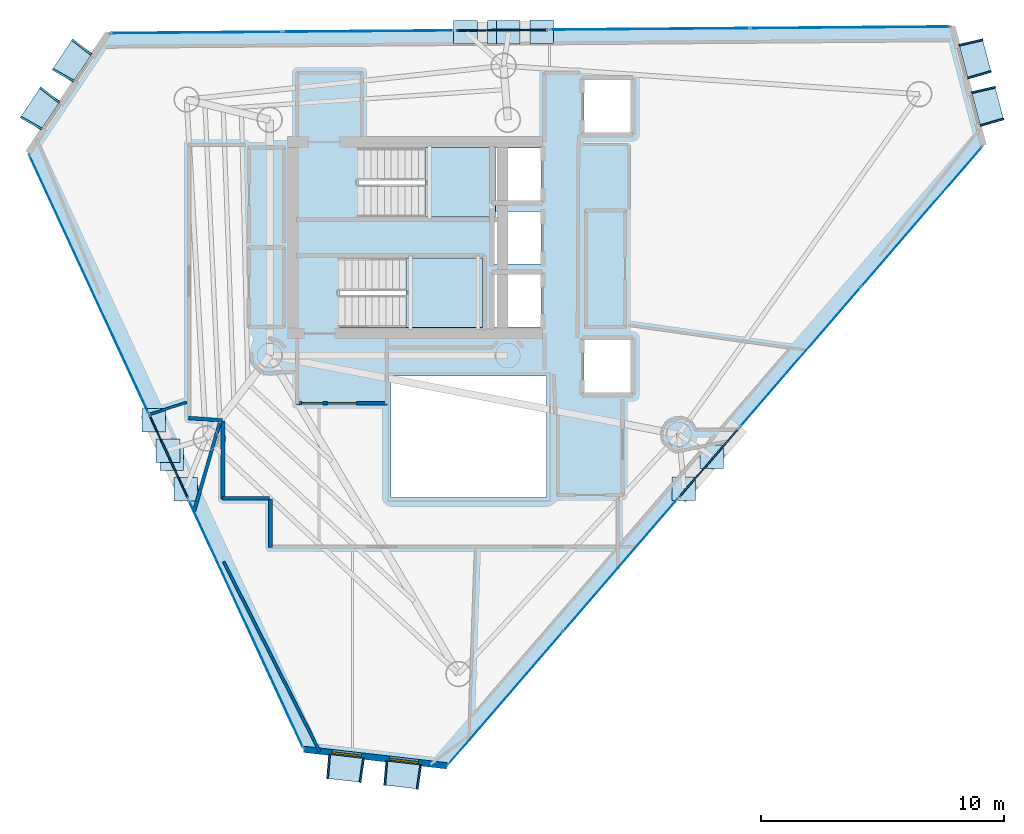
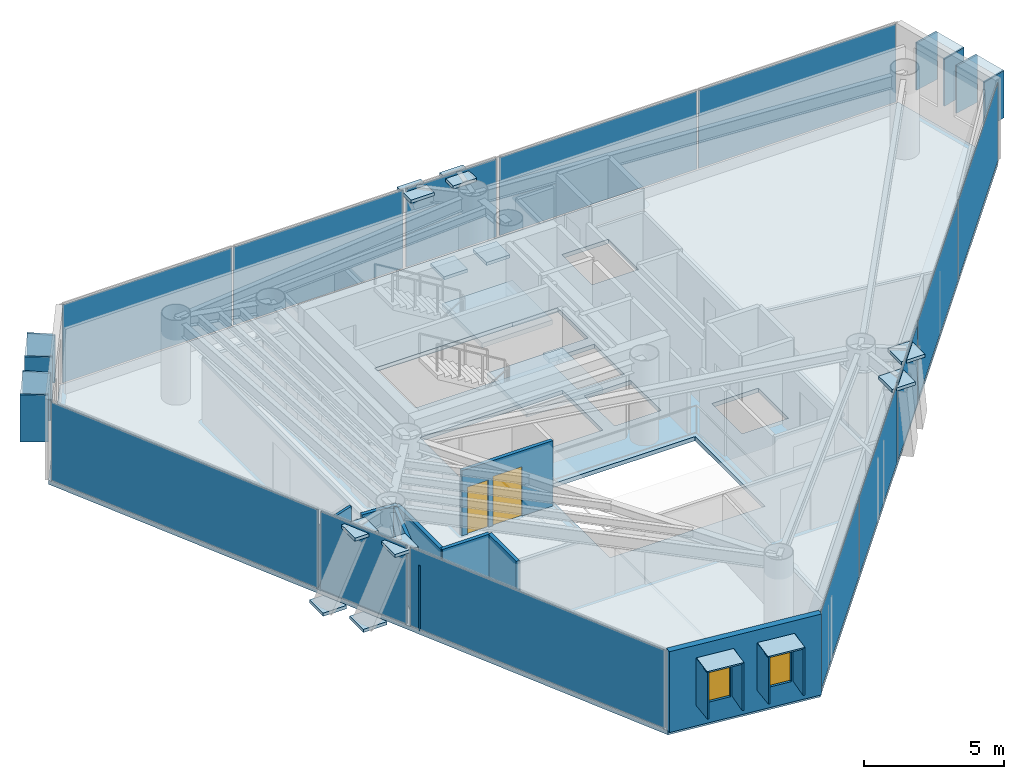
# One storey, part 14 of 21: 41 plates, 9 walls, 3 slabs, 2 doors, 2 windows, 4 openings, 11 elements without a shape of their own.
"""IFC4 building model written with IfcOpenShell, lengths in metres."""

from ifc_helpers import new_model, si_unit, direction, frame, frame_2d, origin, origin_2d, place, context, subcontext, project, spatial, polyline, rectangle, outline, extrude, material, layer, layer_set, type_object, element, fill, aggregate, save


model = new_model("IFC4")

# Units and contexts
model_context = context("Model", 3, precision=1e-05, world=origin(), true_north=direction((0.0, 1.0)))
body_context = subcontext(model_context, "Body", "Model", "MODEL_VIEW")
ifc_project = project(units=[si_unit("LENGTHUNIT", "METRE"), si_unit("AREAUNIT", "SQUARE_METRE"), si_unit("VOLUMEUNIT", "CUBIC_METRE"), si_unit("PLANEANGLEUNIT", "RADIAN"), si_unit("MASSUNIT", "GRAM", prefix="KILO")], contexts=[model_context])

# Site, building, storey
site_placement = place(None, origin())
site = spatial("IfcSite", under=ifc_project, at=site_placement, CompositionType="ELEMENT")
building_placement = place(site_placement, origin())
building = spatial("IfcBuilding", under=site, at=building_placement, Name="Qianvela Tower", CompositionType="ELEMENT")
storey_placement = place(building_placement, frame((0.0, 0.0, 253.800048828125)))
storey = spatial("IfcBuildingStorey", under=building, at=storey_placement, Name="L65", CompositionType="ELEMENT", Elevation=253.800048828125)

# Curtain wall, plate
ifc_material_1 = material(Name="Anodised Architectural Aluminium and Insulated Spandrel Panel", Category="aluminium")
ifc_layer_1 = layer(ifc_material_1, 0.179931640625)
ifc_layer_set_1 = layer_set([ifc_layer_1], Name="Anodised Architectural Aluminium and Insulated Spandrel Panel")
curtain_wall_type_1 = type_object("IfcCurtainWallType", Name="CW-BRACEBAY", PredefinedType="USERDEFINED", material=ifc_layer_set_1)
curtain_wall_1_placement = place(storey_placement, origin())
curtain_wall_1 = element("IfcCurtainWall", 1, at=curtain_wall_1_placement, inside=storey, type_object=curtain_wall_type_1, Name="L65 CW-BRACEBAY Curtain Wall 02B", ObjectType="CURTAIN_WALL_SYSTEM", PredefinedType="USERDEFINED")
ifc_material_2 = material(Name="Insulated Aluminium Spandrel Panel with Mineral-Wool Backpan", Category="aluminium")
ifc_layer_2 = layer(ifc_material_2, 0.06005859375)
ifc_layer_set_2 = layer_set([ifc_layer_2], Name="Insulated Aluminium Spandrel Panel with Mineral-Wool Backpan")
plate_type_1 = type_object("IfcPlateType", Name="CW-BRACEBAY-PNL", PredefinedType="CURTAIN_PANEL", material=ifc_layer_set_2)
plate_1_placement = place(storey_placement, frame((38.161865234375, 37.239501953125, 0.06494140625), z_axis=(0.0, 0.0, 1.0), x_axis=(-0.999969708339, -0.007783469983, 0.0)))
plate_1 = element("IfcPlate", 2, at=plate_1_placement, type_object=plate_type_1, Name="CW-9 panel 1.1", PredefinedType="CURTAIN_PANEL", context=body_context, shape_type="SweptSolid", body=[
    extrude(rectangle(XDim=3.75, YDim=0.06005859375, at=origin_2d()), origin(), (0.0, 0.0, 1.0), 3.389892578125),
])
aggregate(curtain_wall_1, [plate_1])

curtain_wall_2_placement = place(storey_placement, origin())
curtain_wall_2 = element("IfcCurtainWall", 3, at=curtain_wall_2_placement, inside=storey, type_object=curtain_wall_type_1, Name="L65 CW-BRACEBAY Curtain Wall 04B", ObjectType="CURTAIN_WALL_SYSTEM", PredefinedType="USERDEFINED")
plate_2_placement = place(storey_placement, frame((24.4453125, 19.683349609375, 0.06494140625), z_axis=(0.0, 0.0, 1.0), x_axis=(0.419455292743, -0.907775995161, 0.0)))
plate_2 = element("IfcPlate", 4, at=plate_2_placement, type_object=plate_type_1, Name="CW-9 panel 1.1", PredefinedType="CURTAIN_PANEL", context=body_context, shape_type="SweptSolid", body=[
    extrude(rectangle(XDim=3.75, YDim=0.06005859375, at=origin_2d()), origin(), (0.0, 0.0, 1.0), 3.389892578125),
])
aggregate(curtain_wall_2, [plate_2])

curtain_wall_3_placement = place(storey_placement, origin())
curtain_wall_3 = element("IfcCurtainWall", 5, at=curtain_wall_3_placement, inside=storey, type_object=curtain_wall_type_1, Name="L65 CW-BRACEBAY Curtain Wall 06B", ObjectType="CURTAIN_WALL_SYSTEM", PredefinedType="USERDEFINED")
plate_3_placement = place(storey_placement, frame((46.673583984375, 19.43408203125, 0.06494140625), z_axis=(0.0, 0.0, 1.0), x_axis=(0.654021527527, 0.756475935857, 0.0)))
plate_3 = element("IfcPlate", 6, at=plate_3_placement, type_object=plate_type_1, Name="CW-9 panel 1.1", PredefinedType="CURTAIN_PANEL", context=body_context, shape_type="SweptSolid", body=[
    extrude(rectangle(XDim=3.699951171875, YDim=0.06005859375, at=origin_2d()), origin(), (0.0, 0.0, 1.0), 3.389892578125),
])
aggregate(curtain_wall_3, [plate_3])

# Curtain wall, plates
ifc_material_3 = material(Name="Anodised Architectural Aluminium and Low-E Glass", Category="aluminium")
ifc_layer_3 = layer(ifc_material_3, 0.159912109375)
ifc_layer_set_3 = layer_set([ifc_layer_3], Name="Anodised Architectural Aluminium and Low-E Glass")
curtain_wall_type_2 = type_object("IfcCurtainWallType", Name="CW-COLIV-Z56", PredefinedType="USERDEFINED", material=ifc_layer_set_3)
curtain_wall_4_placement = place(storey_placement, origin())
curtain_wall_4 = element("IfcCurtainWall", 7, at=curtain_wall_4_placement, inside=storey, type_object=curtain_wall_type_2, Name="L65 CW-COLIV-Z56 Curtain Wall 02A", ObjectType="CURTAIN_WALL_SYSTEM", PredefinedType="USERDEFINED")
ifc_material_4 = material(Name="Double-Silver Low-E Insulated Glass", Category="glass")
ifc_layer_4 = layer(ifc_material_4, 0.028076171875)
ifc_layer_set_4 = layer_set([ifc_layer_4], Name="Double-Silver Low-E Insulated Glass")
plate_type_2 = type_object("IfcPlateType", Name="CW-COLIV-Z56-PNL", PredefinedType="CURTAIN_PANEL", material=ifc_layer_set_4)
plate_4_placement = place(storey_placement, frame((52.482666015625, 37.35107421875, 0.06005859375), z_axis=(0.0, 0.0, 1.0), x_axis=(-0.999969548397, -0.00780399115, 0.0)))
plate_4 = element("IfcPlate", 8, at=plate_4_placement, type_object=plate_type_2, Name="CW-5 panel 1.1", PredefinedType="CURTAIN_PANEL", context=body_context, shape_type="SweptSolid", body=[
    extrude(rectangle(XDim=8.16748046875, YDim=0.028076171875, at=origin_2d()), origin(), (0.0, 0.0, 1.0), 3.39990234375),
])
plate_5_placement = place(storey_placement, frame((44.25048828125, 37.286865234375, 0.06005859375), z_axis=(0.0, 0.0, 1.0), x_axis=(-0.999969548397, -0.00780399115, 0.0)))
plate_5 = element("IfcPlate", 9, at=plate_5_placement, type_object=plate_type_2, Name="CW-5 panel 2.1", PredefinedType="CURTAIN_PANEL", context=body_context, shape_type="SweptSolid", body=[
    extrude(rectangle(XDim=8.16748046875, YDim=0.028076171875, at=origin_2d()), origin(), (0.0, 0.0, 1.0), 3.39990234375),
])
aggregate(curtain_wall_4, [plate_4, plate_5])

curtain_wall_5_placement = place(storey_placement, origin())
curtain_wall_5 = element("IfcCurtainWall", 10, at=curtain_wall_5_placement, inside=storey, type_object=curtain_wall_type_2, Name="L65 CW-COLIV-Z56 Curtain Wall 02C", ObjectType="CURTAIN_WALL_SYSTEM", PredefinedType="USERDEFINED")
plate_6_placement = place(storey_placement, frame((32.653076171875, 37.196533203125, 0.06005859375), z_axis=(0.0, 0.0, 1.0), x_axis=(-0.999969552063, -0.007803521427, 0.0)))
plate_6 = element("IfcPlate", 11, at=plate_6_placement, type_object=plate_type_2, Name="CW-5 panel 1.1", PredefinedType="CURTAIN_PANEL", context=body_context, shape_type="SweptSolid", body=[
    extrude(rectangle(XDim=7.00830078125, YDim=0.028076171875, at=origin_2d()), origin(), (0.0, 0.0, 1.0), 3.39990234375),
])
plate_7_placement = place(storey_placement, frame((25.579833984375, 37.141357421875, 0.06005859375), z_axis=(0.0, 0.0, 1.0), x_axis=(-0.999969552063, -0.007803521427, 0.0)))
plate_7 = element("IfcPlate", 12, at=plate_7_placement, type_object=plate_type_2, Name="CW-5 panel 2.1", PredefinedType="CURTAIN_PANEL", context=body_context, shape_type="SweptSolid", body=[
    extrude(rectangle(XDim=7.00830078125, YDim=0.028076171875, at=origin_2d()), origin(), (0.0, 0.0, 1.0), 3.39990234375),
])
aggregate(curtain_wall_5, [plate_6, plate_7])

# Curtain wall, plate
curtain_wall_6_placement = place(storey_placement, origin())
curtain_wall_6 = element("IfcCurtainWall", 13, at=curtain_wall_6_placement, inside=storey, type_object=curtain_wall_type_2, Name="L65 CW-COLIV-Z56 Curtain Wall 04A", ObjectType="CURTAIN_WALL_SYSTEM", PredefinedType="USERDEFINED")
plate_8_placement = place(storey_placement, frame((21.158935546875, 26.795654296875, 0.06005859375), z_axis=(0.0, 0.0, 1.0), x_axis=(0.419449169072, -0.907778824695, 0.0)))
plate_8 = element("IfcPlate", 14, at=plate_8_placement, type_object=plate_type_2, Name="CW-5 panel 1.1", PredefinedType="CURTAIN_PANEL", context=body_context, shape_type="SweptSolid", body=[
    extrude(rectangle(XDim=11.659912109375, YDim=0.028076171875, at=origin_2d()), origin(), (0.0, 0.0, 1.0), 3.39990234375),
])
aggregate(curtain_wall_6, [plate_8])

curtain_wall_7_placement = place(storey_placement, origin())
curtain_wall_7 = element("IfcCurtainWall", 15, at=curtain_wall_7_placement, inside=storey, type_object=curtain_wall_type_2, Name="L65 CW-COLIV-Z56 Curtain Wall 04C", ObjectType="CURTAIN_WALL_SYSTEM", PredefinedType="USERDEFINED")
plate_9_placement = place(storey_placement, frame((27.623291015625, 12.805419921875, 0.06005859375), z_axis=(0.0, 0.0, 1.0), x_axis=(0.419449651323, -0.907778601866, 0.0)))
plate_9 = element("IfcPlate", 16, at=plate_9_placement, type_object=plate_type_2, Name="CW-5 panel 1.1", PredefinedType="CURTAIN_PANEL", context=body_context, shape_type="SweptSolid", body=[
    extrude(rectangle(XDim=11.143310546875, YDim=0.028076171875, at=origin_2d()), origin(), (0.0, 0.0, 1.0), 3.39990234375),
])
aggregate(curtain_wall_7, [plate_9])

# Curtain wall, plates
curtain_wall_8_placement = place(storey_placement, origin())
curtain_wall_8 = element("IfcCurtainWall", 17, at=curtain_wall_8_placement, inside=storey, type_object=curtain_wall_type_2, Name="L65 CW-COLIV-Z56 Curtain Wall 06A", ObjectType="CURTAIN_WALL_SYSTEM", PredefinedType="USERDEFINED")
plate_10_placement = place(storey_placement, frame((38.309326171875, 9.759765625, 0.06005859375), z_axis=(0.0, 0.0, 1.0), x_axis=(0.65404150021, 0.756458667743, 0.0)))
plate_10 = element("IfcPlate", 18, at=plate_10_placement, type_object=plate_type_2, Name="CW-5 panel 1.1", PredefinedType="CURTAIN_PANEL", context=body_context, shape_type="SweptSolid", body=[
    extrude(rectangle(XDim=7.16259765625, YDim=0.028076171875, at=origin_2d()), origin(), (0.0, 0.0, 1.0), 3.39990234375),
])
plate_11_placement = place(storey_placement, frame((43.036376953125, 15.22705078125, 0.06005859375), z_axis=(0.0, 0.0, 1.0), x_axis=(0.65404150021, 0.756458667743, 0.0)))
plate_11 = element("IfcPlate", 19, at=plate_11_placement, type_object=plate_type_2, Name="CW-5 panel 2.1", PredefinedType="CURTAIN_PANEL", context=body_context, shape_type="SweptSolid", body=[
    extrude(rectangle(XDim=7.16259765625, YDim=0.028076171875, at=origin_2d()), origin(), (0.0, 0.0, 1.0), 3.39990234375),
])
aggregate(curtain_wall_8, [plate_10, plate_11])

curtain_wall_9_placement = place(storey_placement, origin())
curtain_wall_9 = element("IfcCurtainWall", 20, at=curtain_wall_9_placement, inside=storey, type_object=curtain_wall_type_2, Name="L65 CW-COLIV-Z56 Curtain Wall 06C", ObjectType="CURTAIN_WALL_SYSTEM", PredefinedType="USERDEFINED")
plate_12_placement = place(storey_placement, frame((50.439453125, 23.78955078125, 0.06005859375), z_axis=(0.0, 0.0, 1.0), x_axis=(0.654042627429, 0.756457693137, 0.0)))
plate_12 = element("IfcPlate", 21, at=plate_12_placement, type_object=plate_type_2, Name="CW-5 panel 1.1", PredefinedType="CURTAIN_PANEL", context=body_context, shape_type="SweptSolid", body=[
    extrude(rectangle(XDim=7.5556640625, YDim=0.028076171875, at=origin_2d()), origin(), (0.0, 0.0, 1.0), 3.39990234375),
])
plate_13_placement = place(storey_placement, frame((55.423828125, 29.554443359375, 0.06005859375), z_axis=(0.0, 0.0, 1.0), x_axis=(0.654042627429, 0.756457693137, 0.0)))
plate_13 = element("IfcPlate", 22, at=plate_13_placement, type_object=plate_type_2, Name="CW-5 panel 2.1", PredefinedType="CURTAIN_PANEL", context=body_context, shape_type="SweptSolid", body=[
    extrude(rectangle(XDim=7.5556640625, YDim=0.028076171875, at=origin_2d()), origin(), (0.0, 0.0, 1.0), 3.39990234375),
])
aggregate(curtain_wall_9, [plate_12, plate_13])

# Plates
ifc_material_5 = material(Name="Steel Q420GJC", Category="steel")
ifc_layer_5 = layer(ifc_material_5, 0.139892578125)
ifc_layer_set_5 = layer_set([ifc_layer_5], Name="Steel Q420GJC")
plate_type_3 = type_object("IfcPlateType", Name="PT-GUSSET-NODE-140", PredefinedType="USERDEFINED", material=ifc_layer_set_5)
for number, where, z_axis, x_axis, name in (
    (23, (39.792236328125, 37.172119140625, -0.61328125), (0.0, 0.0, 1.0), (1.0, 0.0, 0.0), "L65 Node Gusset Plate A"),
    (24, (38.412109375, 37.161376953125, 3.208984375), (0.0, 0.0, 1.0), (1.0, 0.0, 0.0), "L65 Node Gusset Plate B"),
    (25, (38.0400390625, 37.158447265625, -0.61328125), (0.0, 0.0, 1.0), (1.0, 0.0, 0.0), "L65 Node Gusset Plate A"),
    (26, (36.659423828125, 37.147705078125, 3.208984375), (0.0, 0.0, 1.0), (1.0, 0.0, 0.0), "L65 Node Gusset Plate B"),
    (27, (23.835693359375, 21.193359375, -0.61328125), (0.0, 0.0, 1.0), (1.0, 0.0, 0.0), "L65 Node Gusset Plate A"),
    (28, (24.41650390625, 19.936279296875, 3.208984375), (0.0, 0.0, 1.0), (1.0, 0.0, 0.0), "L65 Node Gusset Plate B"),
    (29, (24.57080078125, 19.6025390625, -0.61328125), (0.0, 0.0, 1.0), (1.0, 0.0, 0.0), "L65 Node Gusset Plate A"),
    (30, (25.151611328125, 18.34521484375, 3.208984375), (0.0, 0.0, 1.0), (1.0, 0.0, 0.0), "L65 Node Gusset Plate B"),
    (31, (45.643310546875, 18.364501953125, 3.20947265625), (0.0, 0.0, 1.0), (1.0, 0.0, 0.0), "L65 Node Gusset Plate B"),
    (32, (46.78955078125, 19.6904296875, 3.20947265625), (0.0, 0.0, 1.0), (1.0, 0.0, 0.0), "L65 Node Gusset Plate B"),
):
    element("IfcPlate", number, at=place(storey_placement, frame(where, z_axis=z_axis, x_axis=x_axis)), inside=storey, type_object=plate_type_3, Name=name, ObjectType="GUSSET_PLATE", PredefinedType="USERDEFINED", context=body_context, shape_type="SweptSolid", body=[
        extrude(rectangle(XDim=0.969970703125, YDim=0.969970703125, at=origin_2d()), origin(), (0.0, 0.0, 1.0), 0.139892578125),
    ])

# Slab
ifc_material_6 = material(Name="Concrete C40", Category="concrete")
ifc_layer_6 = layer(ifc_material_6, 0.179931640625)
ifc_layer_set_6 = layer_set([ifc_layer_6], Name="Concrete C40")
slab_type_1 = type_object("IfcSlabType", Name="SL-FLOOR-180", PredefinedType="FLOOR", material=ifc_layer_set_6)
slab_1_placement = place(storey_placement, frame((0.0, 0.0, -0.179931640625)))
element("IfcSlab", 33, at=slab_1_placement, inside=storey, type_object=slab_type_1, Name="L65 Composite Structural Floor Slab", PredefinedType="FLOOR", context=body_context, shape_type="SweptSolid", body=[
    extrude(outline(polyline([(57.9697265625, 32.4990234375), (56.681396484375, 37.3837890625), (21.9609375, 37.113037109375), (18.665283203125, 32.1923828125), (30.008544921875, 7.64306640625), (35.891845703125, 6.9638671875), (57.9697265625, 32.4990234375)]), holes=[polyline([(40.0, 23.0), (33.60009765625, 23.0), (33.60009765625, 18.0), (40.0, 18.0), (40.0, 23.0)]), polyline([(43.4599609375, 24.47998046875), (41.5400390625, 24.47998046875), (41.5400390625, 22.320068359375), (43.4599609375, 22.320068359375), (43.4599609375, 24.47998046875)]), polyline([(39.760009765625, 27.179931640625), (37.840087890625, 27.179931640625), (37.840087890625, 25.02001953125), (39.760009765625, 25.02001953125), (39.760009765625, 27.179931640625)]), polyline([(37.35009765625, 27.860107421875), (31.469970703125, 27.860107421875), (31.469970703125, 25.0), (37.35009765625, 25.0), (37.35009765625, 27.860107421875)]), polyline([(39.760009765625, 27.6201171875), (39.760009765625, 29.780029296875), (37.89990234375, 29.780029296875), (37.89990234375, 30.219970703125), (39.760009765625, 30.219970703125), (39.760009765625, 32.3798828125), (37.89990234375, 32.3798828125), (37.89990234375, 32.39990234375), (32.25, 32.39990234375), (32.25, 29.5400390625), (37.840087890625, 29.5400390625), (37.840087890625, 27.6201171875), (39.760009765625, 27.6201171875)]), polyline([(43.4599609375, 35.179931640625), (41.5400390625, 35.179931640625), (41.5400390625, 33.02001953125), (43.4599609375, 33.02001953125), (43.4599609375, 35.179931640625)])]), origin(), (0.0, 0.0, 1.0), 0.179931640625),
])

# Stair, slab
ifc_material_7 = material(Name="Concrete C40", Category="concrete")
stair_type = type_object("IfcStairType", Name="ST-DOGLEG-1350-R168-N22", PredefinedType="HALF_TURN_STAIR", material=ifc_material_7)
stair_1_placement = place(storey_placement, origin())
stair_1 = element("IfcStair", 34, at=stair_1_placement, inside=storey, type_object=stair_type, Name="L65 Smoke-Proof Core Stair ST-1", PredefinedType="HALF_TURN_STAIR")
ifc_material_8 = material(Name="Concrete C40", Category="concrete")
ifc_layer_7 = layer(ifc_material_8, 0.199951171875)
ifc_layer_set_7 = layer_set([ifc_layer_7], Name="Concrete C40")
slab_type_2 = type_object("IfcSlabType", Name="SL-STAIR-LANDING-200", PredefinedType="LANDING", material=ifc_layer_set_7)
slab_2_placement = place(storey_placement, frame((0.0, 0.0, 1.64990234375)))
slab_2 = element("IfcSlab", 35, at=slab_2_placement, type_object=slab_type_2, Name="ST-1 landing 1", PredefinedType="LANDING", context=body_context, shape_type="SweptSolid", body=[
    extrude(outline(polyline([(35.0, 29.5400390625), (37.89990234375, 29.5400390625), (37.89990234375, 32.39990234375), (35.0, 32.39990234375), (35.0, 29.5400390625)])), origin(), (0.0, 0.0, 1.0), 0.199951171875),
])
aggregate(stair_1, [slab_2])

stair_2_placement = place(storey_placement, origin())
stair_2 = element("IfcStair", 36, at=stair_2_placement, inside=storey, type_object=stair_type, Name="L65 Smoke-Proof Core Stair ST-2", PredefinedType="HALF_TURN_STAIR")
slab_3_placement = place(storey_placement, frame((0.0, 0.0, 1.64990234375)))
slab_3 = element("IfcSlab", 37, at=slab_3_placement, type_object=slab_type_2, Name="ST-2 landing 1", PredefinedType="LANDING", context=body_context, shape_type="SweptSolid", body=[
    extrude(outline(polyline([(34.219970703125, 25.0), (37.35009765625, 25.0), (37.35009765625, 27.860107421875), (34.219970703125, 27.860107421875), (34.219970703125, 25.0)])), origin(), (0.0, 0.0, 1.0), 0.199951171875),
])
aggregate(stair_2, [slab_3])

# Plates
ifc_material_9 = material(Name="Vitrified Architectural Terracotta Panel", Category="masonry")
ifc_layer_8 = layer(ifc_material_9, 0.06494140625)
ifc_layer_set_8 = layer_set([ifc_layer_8], Name="Vitrified Architectural Terracotta Panel")
plate_type_4 = type_object("IfcPlateType", Name="TERRACOTTA-SUNSHADE-HOOD-FOLD-B", PredefinedType="USERDEFINED", material=ifc_layer_set_8)
for number, where, z_axis, x_axis, name in (
    (38, (58.14892578125, 34.11376953125, 2.909912109375), (0.0, 0.0, 1.0), (-0.255035690665, 0.966931640028, 0.0), "L65 Terracotta Sunshade Hood FOLD-B"),
    (39, (57.633544921875, 36.067626953125, 2.909912109375), (0.0, 0.0, 1.0), (-0.255035690665, 0.966931640028, 0.0), "L65 Terracotta Sunshade Hood FOLD-B"),
    (40, (31.70654296875, 6.858154296875, 2.909912109375), (0.0, 0.0, 1.0), (0.993399819454, -0.114703089361, 0.0), "L65 Terracotta Sunshade Hood FOLD-B"),
    (41, (34.059814453125, 6.58642578125, 2.909912109375), (0.0, 0.0, 1.0), (0.993399819454, -0.114703089361, 0.0), "L65 Terracotta Sunshade Hood FOLD-B"),
):
    element("IfcPlate", number, at=place(storey_placement, frame(where, z_axis=z_axis, x_axis=x_axis)), inside=storey, type_object=plate_type_4, Name=name, ObjectType="SUNSHADE", PredefinedType="USERDEFINED", context=body_context, shape_type="SweptSolid", body=[
        extrude(rectangle(XDim=1.43994140625, YDim=0.989990234375, at=origin_2d()), origin(), (0.0, 0.0, 1.0), 0.06005859375),
    ])
ifc_material_10 = material(Name="Vitrified Architectural Terracotta Panel", Category="masonry")
ifc_layer_9 = layer(ifc_material_10, 0.074951171875)
ifc_layer_set_9 = layer_set([ifc_layer_9], Name="Vitrified Architectural Terracotta Panel")
plate_type_5 = type_object("IfcPlateType", Name="TERRACOTTA-SUNSHADE-HOOD-FOLD-D", PredefinedType="USERDEFINED", material=ifc_layer_set_9)
for number, where, z_axis, x_axis, name in (
    (42, (20.486083984375, 35.96240234375, 2.909912109375), (0.0, 0.0, 1.0), (-0.55649574649, -0.830850458349, 0.0), "L65 Terracotta Sunshade Hood FOLD-D"),
    (43, (19.16796875, 33.994140625, 2.909912109375), (0.0, 0.0, 1.0), (-0.55649574649, -0.830850458349, 0.0), "L65 Terracotta Sunshade Hood FOLD-D"),
):
    element("IfcPlate", number, at=place(storey_placement, frame(where, z_axis=z_axis, x_axis=x_axis)), inside=storey, type_object=plate_type_5, Name=name, ObjectType="SUNSHADE", PredefinedType="USERDEFINED", context=body_context, shape_type="SweptSolid", body=[
        extrude(rectangle(XDim=1.43994140625, YDim=0.989990234375, at=origin_2d()), origin(), (0.0, 0.0, 1.0), 0.06005859375),
    ])
ifc_material_11 = material(Name="Vitrified Architectural Terracotta Side Fin Panel", Category="masonry")
ifc_layer_10 = layer(ifc_material_11, 0.070068359375)
ifc_layer_set_10 = layer_set([ifc_layer_10], Name="Vitrified Architectural Terracotta Side Fin Panel")
plate_type_6 = type_object("IfcPlateType", Name="TERRACOTTA-SUNSHADE-STRUT-FOLD-B", PredefinedType="USERDEFINED", material=ifc_layer_set_10)
for number, where, z_axis, x_axis, name in (
    (44, (58.324951171875, 33.446533203125, 0.89990234375), (0.0, 0.0, 1.0), (-0.284445394344, 0.958692243442, 0.0), "L65 Terracotta Sunshade Side Fin HL FOLD-B"),
    (45, (57.972900390625, 34.781005859375, 0.89990234375), (0.0, 0.0, 1.0), (-0.22538808502, 0.974269065059, 0.0), "L65 Terracotta Sunshade Side Fin HR FOLD-B"),
    (46, (57.8095703125, 35.400390625, 0.89990234375), (0.0, 0.0, 1.0), (-0.284445394344, 0.958692243442, 0.0), "L65 Terracotta Sunshade Side Fin HL FOLD-B"),
    (47, (57.45751953125, 36.73486328125, 0.89990234375), (0.0, 0.0, 1.0), (-0.22538808502, 0.974269065059, 0.0), "L65 Terracotta Sunshade Side Fin HR FOLD-B"),
    (48, (31.02099609375, 6.937255859375, 0.89990234375), (0.0, 0.0, 1.0), (0.996439350485, -0.08431263728, 0.0), "L65 Terracotta Sunshade Side Fin HL FOLD-B"),
    (49, (32.391845703125, 6.779052734375, 0.89990234375), (0.0, 0.0, 1.0), (0.989433626866, -0.144986544298, 0.0), "L65 Terracotta Sunshade Side Fin HR FOLD-B"),
    (50, (33.374267578125, 6.66552734375, 0.89990234375), (0.0, 0.0, 1.0), (0.996439350485, -0.08431263728, 0.0), "L65 Terracotta Sunshade Side Fin HL FOLD-B"),
    (51, (34.7451171875, 6.50732421875, 0.89990234375), (0.0, 0.0, 1.0), (0.989433626866, -0.144986544298, 0.0), "L65 Terracotta Sunshade Side Fin HR FOLD-B"),
):
    element("IfcPlate", number, at=place(storey_placement, frame(where, z_axis=z_axis, x_axis=x_axis)), inside=storey, type_object=plate_type_6, Name=name, ObjectType="SUNSHADE", PredefinedType="USERDEFINED", context=body_context, shape_type="SweptSolid", body=[
        extrude(rectangle(XDim=0.070068359375, YDim=1.010009765625, at=origin_2d()), origin(), (0.0, 0.0, 1.0), 2.06005859375),
    ])
ifc_material_12 = material(Name="Vitrified Architectural Terracotta Side Fin Panel", Category="masonry")
ifc_layer_11 = layer(ifc_material_12, 0.080078125)
ifc_layer_set_11 = layer_set([ifc_layer_11], Name="Vitrified Architectural Terracotta Side Fin Panel")
plate_type_7 = type_object("IfcPlateType", Name="TERRACOTTA-SUNSHADE-STRUT-FOLD-D", PredefinedType="USERDEFINED", material=ifc_layer_set_11)
for number, where, z_axis, x_axis, name in (
    (52, (20.8701171875, 36.53564453125, 0.89990234375), (0.0, 0.0, 1.0), (-0.616538559241, -0.787324713806, 0.0), "L65 Terracotta Sunshade Side Fin HL FOLD-D"),
    (53, (20.102294921875, 35.38916015625, 0.89990234375), (0.0, 0.0, 1.0), (-0.493392413148, -0.869806832951, 0.0), "L65 Terracotta Sunshade Side Fin HR FOLD-D"),
    (54, (19.5517578125, 34.5673828125, 0.89990234375), (0.0, 0.0, 1.0), (-0.616538559241, -0.787324713806, 0.0), "L65 Terracotta Sunshade Side Fin HL FOLD-D"),
    (55, (18.783935546875, 33.4208984375, 0.89990234375), (0.0, 0.0, 1.0), (-0.493392413148, -0.869806832951, 0.0), "L65 Terracotta Sunshade Side Fin HR FOLD-D"),
):
    element("IfcPlate", number, at=place(storey_placement, frame(where, z_axis=z_axis, x_axis=x_axis)), inside=storey, type_object=plate_type_7, Name=name, ObjectType="SUNSHADE", PredefinedType="USERDEFINED", context=body_context, shape_type="SweptSolid", body=[
        extrude(rectangle(XDim=0.080078125, YDim=1.010009765625, at=origin_2d()), origin(), (0.0, 0.0, 1.0), 2.06005859375),
    ])

# Wall, openings, windows
ifc_material_13 = material(Name="Terracotta Cladding on Concrete C40", Category="masonry")
ifc_layer_12 = layer(ifc_material_13, 0.260009765625)
ifc_layer_set_12 = layer_set([ifc_layer_12], Name="Terracotta Cladding on Concrete C40")
wall_type_1 = type_object("IfcWallType", Name="TERRACOTTA-WALL-260", PredefinedType="SOLIDWALL", material=ifc_layer_set_12)
wall_1_placement = place(storey_placement, frame((30.008544921875, 7.64306640625, 0.0), z_axis=(0.0, 0.0, 1.0), x_axis=(0.993402073551, -0.114683565799, 0.0)))
wall_1 = element("IfcWall", 56, at=wall_1_placement, inside=storey, type_object=wall_type_1, Name="L65 Terracotta Chamfer Facet Wall 5", PredefinedType="SOLIDWALL", context=body_context, shape_type="SweptSolid", body=[
    extrude(rectangle(XDim=5.92236328125, YDim=0.260009765625, at=frame_2d((2.961181640625, 0.0))), origin(), (0.0, 0.0, 1.0), 3.52001953125),
])
opening_1_placement = place(wall_1_placement, frame((1.1767578125, 0.0, 0.89990234375)))
opening_1 = element("IfcOpeningElement", 57, at=opening_1_placement, cuts=wall_1, Name="Opening W-03", PredefinedType="OPENING", context=body_context, shape_type="SweptSolid", body=[
    extrude(rectangle(XDim=1.199951171875, YDim=2.0, at=frame_2d((0.60009765625, 1.0))), frame((0.0, 0.139892578125, 0.0), z_axis=(0.0, -1.0, 0.0), x_axis=(1.0, 0.0, 0.0)), (0.0, 0.0, 1.0), 0.280029296875),
])
opening_2_placement = place(wall_1_placement, frame((3.545654296875, 0.0, 0.89990234375)))
opening_2 = element("IfcOpeningElement", 58, at=opening_2_placement, cuts=wall_1, Name="Opening W-03", PredefinedType="OPENING", context=body_context, shape_type="SweptSolid", body=[
    extrude(rectangle(XDim=1.199951171875, YDim=2.0, at=frame_2d((0.60009765625, 1.0))), frame((0.0, 0.139892578125, 0.0), z_axis=(0.0, -1.0, 0.0), x_axis=(1.0, 0.0, 0.0)), (0.0, 0.0, 1.0), 0.280029296875),
])
ifc_material_14 = material(Name="Thermally Broken Aluminium and Low-E Glass", Category="aluminium")
window_type = type_object("IfcWindowType", Name="WIN-TC-1200x2000", PartitioningType="SINGLE_PANEL", PredefinedType="WINDOW", material=ifc_material_14)
window_1_placement = place(opening_1_placement, origin())
window_1 = element("IfcWindow", 59, at=window_1_placement, inside=storey, type_object=window_type, Name="L65 Chamfer Facet Window 5.1", OverallHeight=2.0, OverallWidth=1.199951171875, PartitioningType="SINGLE_PANEL", PredefinedType="WINDOW", context=body_context, shape_type="SweptSolid", body=[
    extrude(rectangle(XDim=1.199951171875, YDim=2.0, at=frame_2d((0.60009765625, 1.0))), frame((0.0, 0.030029296875, 0.0), z_axis=(0.0, -1.0, 0.0), x_axis=(1.0, 0.0, 0.0)), (0.0, 0.0, 1.0), 0.06005859375),
])
fill(opening_1, window_1)
window_2_placement = place(opening_2_placement, origin())
window_2 = element("IfcWindow", 60, at=window_2_placement, inside=storey, type_object=window_type, Name="L65 Chamfer Facet Window 5.2", OverallHeight=2.0, OverallWidth=1.199951171875, PartitioningType="SINGLE_PANEL", PredefinedType="WINDOW", context=body_context, shape_type="SweptSolid", body=[
    extrude(rectangle(XDim=1.199951171875, YDim=2.0, at=frame_2d((0.60009765625, 1.0))), frame((0.0, 0.030029296875, 0.0), z_axis=(0.0, -1.0, 0.0), x_axis=(1.0, 0.0, 0.0)), (0.0, 0.0, 1.0), 0.06005859375),
])
fill(opening_2, window_2)

# Wall, openings, doors
ifc_material_15 = material(Name="Fire-Rated Acoustic Gypsum Board")
ifc_layer_13 = layer(ifc_material_15, 0.14990234375)
ifc_layer_set_13 = layer_set([ifc_layer_13], Name="Fire-Rated Acoustic Gypsum Board")
wall_type_2 = type_object("IfcWallType", Name="WT-CORR-150", PredefinedType="PARTITIONING", material=ifc_layer_set_13)
wall_2_placement = place(storey_placement, frame((33.449951171875, 21.881103515625, 0.0), z_axis=(0.0, 0.0, 1.0), x_axis=(-1.0, 0.0, 0.0)))
wall_2 = element("IfcWall", 61, at=wall_2_placement, inside=storey, type_object=wall_type_2, Name="L65 Partition 5", PredefinedType="PARTITIONING", context=body_context, shape_type="SweptSolid", body=[
    extrude(rectangle(XDim=3.75, YDim=0.14990234375, at=frame_2d((1.875, 0.0))), origin(), (0.0, 0.0, 1.0), 2.83984375),
])
opening_3_placement = place(wall_2_placement, frame((1.27490234375, 0.0, 0.0)))
opening_3 = element("IfcOpeningElement", 62, at=opening_3_placement, cuts=wall_2, Name="Opening D-LB1", PredefinedType="OPENING", context=body_context, shape_type="SweptSolid", body=[
    extrude(rectangle(XDim=1.199951171875, YDim=2.14990234375, at=frame_2d((0.60009765625, 1.074951171875))), frame((0.0, 0.0849609375, 0.0), z_axis=(0.0, -1.0, 0.0), x_axis=(1.0, 0.0, 0.0)), (0.0, 0.0, 1.0), 0.169921875),
])
opening_4_placement = place(wall_2_placement, frame((2.659912109375, 0.0, 0.0)))
opening_4 = element("IfcOpeningElement", 63, at=opening_4_placement, cuts=wall_2, Name="Opening D-LB2", PredefinedType="OPENING", context=body_context, shape_type="SweptSolid", body=[
    extrude(rectangle(XDim=0.860107421875, YDim=2.050048828125, at=frame_2d((0.43017578125, 1.02490234375))), frame((0.0, 0.0849609375, 0.0), z_axis=(0.0, -1.0, 0.0), x_axis=(1.0, 0.0, 0.0)), (0.0, 0.0, 1.0), 0.169921875),
])
ifc_material_16 = material(Name="Glazed Fire-Rated Steel Frame", Category="steel")
door_type_1 = type_object("IfcDoorType", Name="DT-LOBBY-FD90", OperationType="NOTDEFINED", PredefinedType="DOOR", material=ifc_material_16)
door_1_placement = place(opening_3_placement, origin())
door_1 = element("IfcDoor", 64, at=door_1_placement, inside=storey, type_object=door_type_1, Name="L65 Door L65 Firefighting Lobby South to L65 Floor Corridor", OperationType="SINGLE_SWING_LEFT", OverallHeight=2.14990234375, OverallWidth=1.199951171875, PredefinedType="DOOR", context=body_context, shape_type="SweptSolid", body=[
    extrude(rectangle(XDim=1.199951171875, YDim=2.14990234375, at=frame_2d((0.60009765625, 1.074951171875))), frame((0.0, 0.02490234375, 0.0), z_axis=(0.0, -1.0, 0.0), x_axis=(1.0, 0.0, 0.0)), (0.0, 0.0, 1.0), 0.050048828125),
])
fill(opening_3, door_1)
ifc_material_17 = material(Name="Insulated Steel Fire Door Q355B", Category="steel")
door_type_2 = type_object("IfcDoorType", Name="DT-LOBBY-FD90-860", OperationType="NOTDEFINED", PredefinedType="DOOR", material=ifc_material_17)
door_2_placement = place(opening_4_placement, origin())
door_2 = element("IfcDoor", 65, at=door_2_placement, inside=storey, type_object=door_type_2, Name="L65 Door L65 Firefighting Lobby South to L65 Floor Corridor", OperationType="SINGLE_SWING_LEFT", OverallHeight=2.050048828125, OverallWidth=0.860107421875, PredefinedType="DOOR", context=body_context, shape_type="SweptSolid", body=[
    extrude(rectangle(XDim=0.860107421875, YDim=2.050048828125, at=frame_2d((0.43017578125, 1.02490234375))), frame((0.0, 0.02490234375, 0.0), z_axis=(0.0, -1.0, 0.0), x_axis=(1.0, 0.0, 0.0)), (0.0, 0.0, 1.0), 0.050048828125),
])
fill(opening_4, door_2)

# Walls
wall_3_placement = place(storey_placement, frame((28.631103515625, 15.949951171875, 0.0), z_axis=(0.0, 0.0, 1.0), x_axis=(0.0, 1.0, 0.0)))
element("IfcWall", 66, at=wall_3_placement, inside=storey, type_object=wall_type_2, Name="L65 Partition 58", PredefinedType="PARTITIONING", context=body_context, shape_type="SweptSolid", body=[
    extrude(rectangle(XDim=2.0, YDim=0.14990234375, at=frame_2d((1.0, 0.0))), origin(), (0.0, 0.0, 1.0), 2.83984375),
])
wall_4_placement = place(storey_placement, frame((28.60009765625, 17.98095703125, 0.0), z_axis=(0.0, 0.0, 1.0), x_axis=(-1.0, 0.0, 0.0)))
element("IfcWall", 67, at=wall_4_placement, inside=storey, type_object=wall_type_2, Name="L65 Partition 59", PredefinedType="PARTITIONING", context=body_context, shape_type="SweptSolid", body=[
    extrude(rectangle(XDim=1.9501953125, YDim=0.14990234375, at=frame_2d((0.97509765625, 0.0))), origin(), (0.0, 0.0, 1.0), 2.83984375),
])
wall_5_placement = place(storey_placement, frame((26.680908203125, 17.949951171875, 0.0), z_axis=(0.0, 0.0, 1.0), x_axis=(0.0, 1.0, 0.0)))
element("IfcWall", 68, at=wall_5_placement, inside=storey, type_object=wall_type_2, Name="L65 Partition 60", PredefinedType="PARTITIONING", context=body_context, shape_type="SweptSolid", body=[
    extrude(rectangle(XDim=3.199951171875, YDim=0.14990234375, at=frame_2d((1.60009765625, 0.0))), origin(), (0.0, 0.0, 1.0), 2.83984375),
])
wall_6_placement = place(storey_placement, frame((26.65234375, 21.180908203125, 0.0), z_axis=(0.0, 0.0, 1.0), x_axis=(-0.997303696291, 0.073384857861, 0.0)))
element("IfcWall", 69, at=wall_6_placement, inside=storey, type_object=wall_type_2, Name="L65 Partition 61", PredefinedType="PARTITIONING", context=body_context, shape_type="SweptSolid", body=[
    extrude(rectangle(XDim=1.404052734375, YDim=0.14990234375, at=frame_2d((0.7021484375, 0.0))), origin(), (0.0, 0.0, 1.0), 2.83984375),
])
ifc_material_18 = material(Name="Lightweight Gypsum Room Partition")
ifc_layer_14 = layer(ifc_material_18, 0.10498046875)
ifc_layer_set_14 = layer_set([ifc_layer_14], Name="Lightweight Gypsum Room Partition")
wall_type_3 = type_object("IfcWallType", Name="WT-PART-105", PredefinedType="PARTITIONING", material=ifc_layer_set_14)
wall_7_placement = place(storey_placement, frame((23.62353515625, 21.414306640625, 0.0), z_axis=(0.0, 0.0, 1.0), x_axis=(0.951014330615, 0.309146798405, 0.0)))
element("IfcWall", 70, at=wall_7_placement, inside=storey, type_object=wall_type_3, Name="L65 Partition 74", PredefinedType="PARTITIONING", context=body_context, shape_type="SweptSolid", body=[
    extrude(rectangle(XDim=1.63623046875, YDim=0.10498046875, at=frame_2d((0.818115234375, 0.0))), origin(), (0.0, 0.0, 1.0), 2.83984375),
])
ifc_material_19 = material(Name="Insulated Gypsum Stud Partition")
ifc_layer_15 = layer(ifc_material_19, 0.1201171875)
ifc_layer_set_15 = layer_set([ifc_layer_15], Name="Insulated Gypsum Stud Partition")
wall_type_4 = type_object("IfcWallType", Name="WT-PART-120", PredefinedType="PARTITIONING", material=ifc_layer_set_15)
wall_8_placement = place(storey_placement, frame((30.658203125, 7.55078125, 0.0), z_axis=(0.0, 0.0, 1.0), x_axis=(-0.451424525523, 0.892309306102, 0.0)))
element("IfcWall", 71, at=wall_8_placement, inside=storey, type_object=wall_type_4, Name="L65 Partition 73 seg 1", PredefinedType="PARTITIONING", context=body_context, shape_type="SweptSolid", body=[
    extrude(rectangle(XDim=8.755859375, YDim=0.1201171875, at=frame_2d((4.3779296875, 0.0))), origin(), (0.0, 0.0, 1.0), 2.83984375),
])
ifc_material_20 = material(Name="Acoustic Double Gypsum Stud Partition")
ifc_layer_16 = layer(ifc_material_20, 0.139892578125)
ifc_layer_set_16 = layer_set([ifc_layer_16], Name="Acoustic Double Gypsum Stud Partition")
wall_type_5 = type_object("IfcWallType", Name="WT-ROOM-140", PredefinedType="PARTITIONING", material=ifc_layer_set_16)
wall_9_placement = place(storey_placement, frame((26.5390625, 21.06982421875, 0.0), z_axis=(0.0, 0.0, 1.0), x_axis=(-0.277851542919, -0.9606240264, 0.0)))
element("IfcWall", 72, at=wall_9_placement, inside=storey, type_object=wall_type_5, Name="L65 Partition 66", PredefinedType="PARTITIONING", context=body_context, shape_type="SweptSolid", body=[
    extrude(rectangle(XDim=3.788818359375, YDim=0.139892578125, at=frame_2d((1.89453125, 0.0))), origin(), (0.0, 0.0, 1.0), 2.83984375),
])

save(model, "model.ifc")
